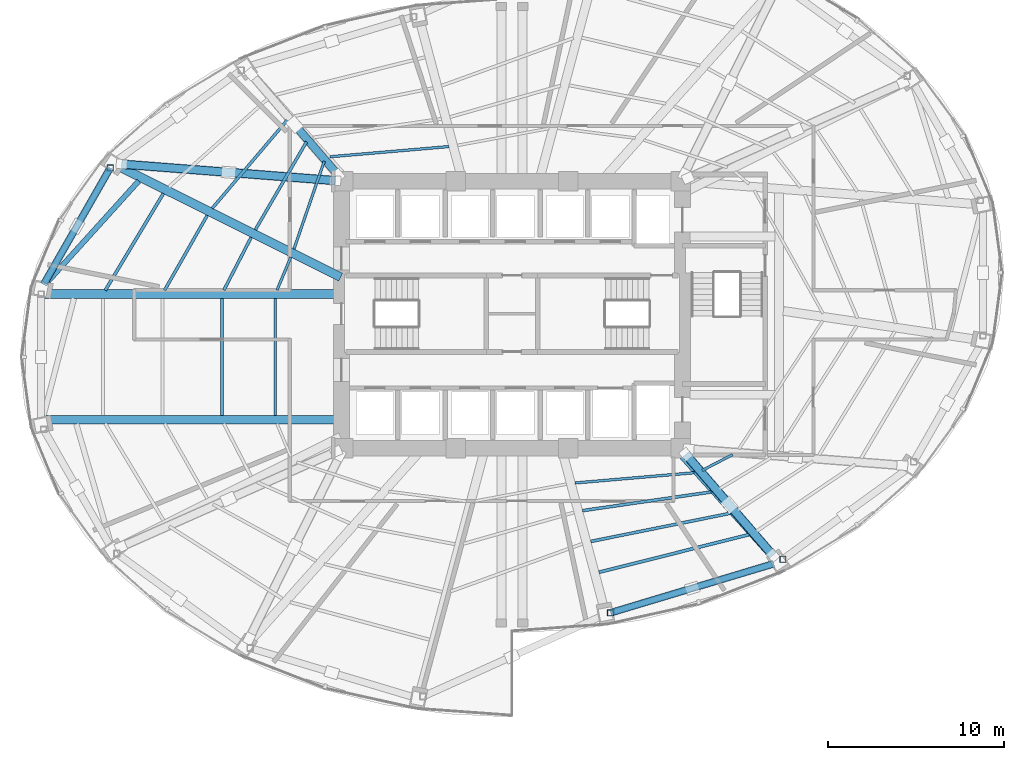
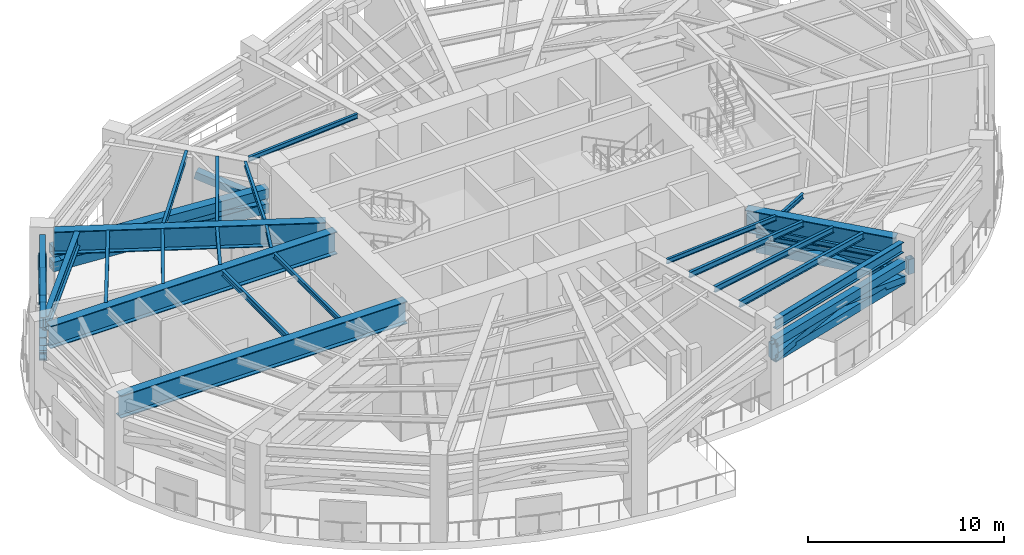
# One storey, part 3 of 14: 22 beams, 20 members.
"""IFC4 building model written with IfcOpenShell, lengths in metres."""

from ifc_helpers import new_model, si_unit, direction, frame, origin, origin_2d, place, context, subcontext, project, spatial, hollow_rectangle, i_section, extrude, material, material_profile, profile_set, type_object, element, save


model = new_model("IFC4")

# Units and contexts
model_context = context("Model", 3, precision=1e-05, world=origin(), true_north=direction((0.0, 1.0)))
body_context = subcontext(model_context, "Body", "Model", "MODEL_VIEW")
ifc_project = project(units=[si_unit("LENGTHUNIT", "METRE"), si_unit("AREAUNIT", "SQUARE_METRE"), si_unit("VOLUMEUNIT", "CUBIC_METRE"), si_unit("PLANEANGLEUNIT", "RADIAN"), si_unit("MASSUNIT", "GRAM", prefix="KILO")], contexts=[model_context])

# Site, building, storey
site_placement = place(None, origin())
site = spatial("IfcSite", under=ifc_project, at=site_placement, CompositionType="ELEMENT")
building_placement = place(site_placement, origin())
building = spatial("IfcBuilding", under=site, at=building_placement, Name="Lazwardi Medical Tower", CompositionType="ELEMENT")
storey_placement = place(building_placement, frame((0.0, 0.0, 76.27197265625)))
storey = spatial("IfcBuildingStorey", under=building, at=storey_placement, Name="L19", CompositionType="ELEMENT", Elevation=76.27197265625)

# Beams
ifc_material_1 = material(Name="Steel S460", Category="steel")
ifc_material_profile_1 = material_profile(ifc_material_1, i_section(OverallWidth=0.300048828125, OverallDepth=0.89990234375, WebThickness=0.0185546875, FlangeThickness=0.034912109375, at=origin_2d()), Name="HEB 900")
ifc_profile_set_1 = profile_set([ifc_material_profile_1], Name="Steel S460")
beam_type_1 = type_object("IfcBeamType", Name="BM-HB-01", PredefinedType="BEAM", material=ifc_profile_set_1)
beam_1_placement = place(storey_placement, frame((14.7578125, 35.613037109375, 4.572021484375), z_axis=(-0.670761058029, -0.741673515121, 0.0), x_axis=(0.741673515121, -0.670761058029, 0.0)))
element("IfcBeam", 1, at=beam_1_placement, inside=storey, type_object=beam_type_1, Name="Transfer girder tie HB-01 M11 L19", PredefinedType="BEAM", context=body_context, shape_type="SweptSolid", body=[
    extrude(i_section(OverallWidth=0.300048828125, OverallDepth=0.89990234375, WebThickness=0.0185546875, FlangeThickness=0.034912109375, at=origin_2d()), origin(), (0.0, 0.0, 1.0), 7.725830078125),
])
ifc_material_2 = material(Name="Steel S355", Category="steel")
ifc_material_profile_2 = material_profile(ifc_material_2, i_section(OverallWidth=0.300048828125, OverallDepth=0.64990234375, WebThickness=0.01611328125, FlangeThickness=0.031005859375, at=origin_2d()), Name="HEB 650")
ifc_profile_set_2 = profile_set([ifc_material_profile_2], Name="Steel S355")
beam_type_2 = type_object("IfcBeamType", Name="BM-RB-Z1", PredefinedType="BEAM", material=ifc_profile_set_2)
beam_2_placement = place(storey_placement, frame((41.73291015625, 11.076904296875, 4.697021484375), z_axis=(0.957695289269, 0.287784177662, 0.0), x_axis=(-0.287784177662, 0.957695289269, 0.0)))
element("IfcBeam", 2, at=beam_2_placement, inside=storey, type_object=beam_type_2, Name="Ring beam RB-02 B01 L19", PredefinedType="BEAM", context=body_context, shape_type="SweptSolid", body=[
    extrude(i_section(OverallWidth=0.300048828125, OverallDepth=0.64990234375, WebThickness=0.01611328125, FlangeThickness=0.031005859375, at=origin_2d()), origin(), (0.0, 0.0, 1.0), 9.445556640625),
])
beam_3_placement = place(storey_placement, frame((13.072021484375, 36.24951171875, 4.697021484375), z_axis=(-0.495829348644, -0.868419977328, 0.0), x_axis=(0.868419977328, -0.495829348644, 0.0)))
element("IfcBeam", 3, at=beam_3_placement, inside=storey, type_object=beam_type_2, Name="Ring beam RB-02 B11 L19", PredefinedType="BEAM", context=body_context, shape_type="SweptSolid", body=[
    extrude(i_section(OverallWidth=0.300048828125, OverallDepth=0.64990234375, WebThickness=0.01611328125, FlangeThickness=0.031005859375, at=origin_2d()), origin(), (0.0, 0.0, 1.0), 7.38916015625),
])
ifc_material_profile_3 = material_profile(ifc_material_2, i_section(OverallWidth=0.179931640625, OverallDepth=0.39990234375, WebThickness=0.008544921875, FlangeThickness=0.013427734375, at=origin_2d()), Name="IPE 400")
ifc_profile_set_3 = profile_set([ifc_material_profile_3], Name="Steel S355")
beam_type_3 = type_object("IfcBeamType", Name="BM-SJ-01", PredefinedType="JOIST", material=ifc_profile_set_3)
beam_4_placement = place(storey_placement, frame((40.948486328125, 13.343017578125, 4.822021484375), z_axis=(0.969808661786, 0.243867093978, 0.0), x_axis=(-0.243867093978, 0.969808661786, 0.0)))
element("IfcBeam", 4, at=beam_4_placement, inside=storey, type_object=beam_type_3, Name="Secondary joist SJ-01 R1 B01 L19", PredefinedType="JOIST", context=body_context, shape_type="SweptSolid", body=[
    extrude(i_section(OverallWidth=0.179931640625, OverallDepth=0.39990234375, WebThickness=0.008544921875, FlangeThickness=0.013427734375, at=origin_2d()), origin(), (0.0, 0.0, 1.0), 8.7998046875),
])
beam_5_placement = place(storey_placement, frame((16.1630859375, 34.90234375, 4.822021484375), z_axis=(-0.514903280124, -0.857248279157, 0.0), x_axis=(0.857248279157, -0.514903280124, 0.0)))
element("IfcBeam", 5, at=beam_5_placement, inside=storey, type_object=beam_type_3, Name="Secondary joist SJ-01 R1 B11 L19", PredefinedType="JOIST", context=body_context, shape_type="SweptSolid", body=[
    extrude(i_section(OverallWidth=0.179931640625, OverallDepth=0.39990234375, WebThickness=0.008544921875, FlangeThickness=0.013427734375, at=origin_2d()), origin(), (0.0, 0.0, 1.0), 6.430419921875),
])
ifc_material_profile_4 = material_profile(ifc_material_2, i_section(OverallWidth=0.169921875, OverallDepth=0.360107421875, WebThickness=0.008056640625, FlangeThickness=0.0126953125, at=origin_2d()), Name="IPE 360")
ifc_profile_set_4 = profile_set([ifc_material_profile_4], Name="Steel S355")
beam_type_4 = type_object("IfcBeamType", Name="BM-SJ-02", PredefinedType="JOIST", material=ifc_profile_set_4)
beam_6_placement = place(storey_placement, frame((40.480712890625, 15.098388671875, 4.842041015625), z_axis=(0.980175636933, 0.198130564937, 0.0), x_axis=(-0.198130564937, 0.980175636933, 0.0)))
element("IfcBeam", 6, at=beam_6_placement, inside=storey, type_object=beam_type_4, Name="Secondary joist SJ-02 R2 B01 L19", PredefinedType="JOIST", context=body_context, shape_type="SweptSolid", body=[
    extrude(i_section(OverallWidth=0.169921875, OverallDepth=0.360107421875, WebThickness=0.008056640625, FlangeThickness=0.0126953125, at=origin_2d()), origin(), (0.0, 0.0, 1.0), 8.0859375),
])
beam_7_placement = place(storey_placement, frame((23.195068359375, 39.064208984375, 4.842041015625), z_axis=(-0.647687234903, -0.76190632347, 0.0), x_axis=(0.76190632347, -0.647687234903, 0.0)))
element("IfcBeam", 7, at=beam_7_placement, inside=storey, type_object=beam_type_4, Name="Secondary joist SJ-02 R2 B10 L19", PredefinedType="JOIST", context=body_context, shape_type="SweptSolid", body=[
    extrude(i_section(OverallWidth=0.169921875, OverallDepth=0.360107421875, WebThickness=0.008056640625, FlangeThickness=0.0126953125, at=origin_2d()), origin(), (0.0, 0.0, 1.0), 6.57275390625),
])
beam_8_placement = place(storey_placement, frame((18.658203125, 33.656982421875, 4.842041015625), z_axis=(-0.495104671166, -0.868833335335, 0.0), x_axis=(0.868833335335, -0.495104671166, 0.0)))
element("IfcBeam", 8, at=beam_8_placement, inside=storey, type_object=beam_type_4, Name="Secondary joist SJ-02 R2 B11 L19", PredefinedType="JOIST", context=body_context, shape_type="SweptSolid", body=[
    extrude(i_section(OverallWidth=0.169921875, OverallDepth=0.360107421875, WebThickness=0.008056640625, FlangeThickness=0.0126953125, at=origin_2d()), origin(), (0.0, 0.0, 1.0), 4.907958984375),
])
beam_9_placement = place(storey_placement, frame((40.012451171875, 16.851806640625, 4.842041015625), z_axis=(0.98962667676, 0.143662941098, 0.0), x_axis=(-0.143662941098, 0.98962667676, 0.0)))
element("IfcBeam", 9, at=beam_9_placement, inside=storey, type_object=beam_type_4, Name="Secondary joist SJ-02 R3 B01 L19", PredefinedType="JOIST", context=body_context, shape_type="SweptSolid", body=[
    extrude(i_section(OverallWidth=0.169921875, OverallDepth=0.360107421875, WebThickness=0.008056640625, FlangeThickness=0.0126953125, at=origin_2d()), origin(), (0.0, 0.0, 1.0), 7.39404296875),
])
beam_10_placement = place(storey_placement, frame((24.304443359375, 37.839111328125, 4.842041015625), z_axis=(-0.503183549372, -0.864179562152, 0.0), x_axis=(0.864179562152, -0.503183549372, 0.0)))
element("IfcBeam", 10, at=beam_10_placement, inside=storey, type_object=beam_type_4, Name="Secondary joist SJ-02 R3 B10 L19", PredefinedType="JOIST", context=body_context, shape_type="SweptSolid", body=[
    extrude(i_section(OverallWidth=0.169921875, OverallDepth=0.360107421875, WebThickness=0.008056640625, FlangeThickness=0.0126953125, at=origin_2d()), origin(), (0.0, 0.0, 1.0), 5.786376953125),
])
beam_11_placement = place(storey_placement, frame((21.156982421875, 32.4091796875, 4.842041015625), z_axis=(-0.459099628804, -0.888384787596, 0.0), x_axis=(0.888384787596, -0.459099628804, 0.0)))
element("IfcBeam", 11, at=beam_11_placement, inside=storey, type_object=beam_type_4, Name="Secondary joist SJ-02 R3 B11 L19", PredefinedType="JOIST", context=body_context, shape_type="SweptSolid", body=[
    extrude(i_section(OverallWidth=0.169921875, OverallDepth=0.360107421875, WebThickness=0.008056640625, FlangeThickness=0.0126953125, at=origin_2d()), origin(), (0.0, 0.0, 1.0), 3.39013671875),
])
beam_12_placement = place(storey_placement, frame((19.488037109375, 28.934814453125, 4.842041015625), z_axis=(0.0, -1.0, 0.0), x_axis=(1.0, 0.0, 0.0)))
element("IfcBeam", 12, at=beam_12_placement, inside=storey, type_object=beam_type_4, Name="Secondary joist SJ-02 R3 B12 L19", PredefinedType="JOIST", context=body_context, shape_type="SweptSolid", body=[
    extrude(i_section(OverallWidth=0.169921875, OverallDepth=0.360107421875, WebThickness=0.008056640625, FlangeThickness=0.0126953125, at=origin_2d()), origin(), (0.0, 0.0, 1.0), 6.669677734375),
])
ifc_material_profile_5 = material_profile(ifc_material_2, i_section(OverallWidth=0.14990234375, OverallDepth=0.300048828125, WebThickness=0.007080078125, FlangeThickness=0.0107421875, at=origin_2d()), Name="IPE 300")
ifc_profile_set_5 = profile_set([ifc_material_profile_5], Name="Steel S355")
beam_type_5 = type_object("IfcBeamType", Name="BM-SJ-03", PredefinedType="JOIST", material=ifc_profile_set_5)
beam_13_placement = place(storey_placement, frame((39.590576171875, 18.427490234375, 4.8720703125), z_axis=(0.996335286815, 0.085533597184, 0.0), x_axis=(-0.085533597184, 0.996335286815, 0.0)))
element("IfcBeam", 13, at=beam_13_placement, inside=storey, type_object=beam_type_5, Name="Secondary joist SJ-03 R4 B01 L19", PredefinedType="JOIST", context=body_context, shape_type="SweptSolid", body=[
    extrude(i_section(OverallWidth=0.14990234375, OverallDepth=0.300048828125, WebThickness=0.007080078125, FlangeThickness=0.0107421875, at=origin_2d()), origin(), (0.0, 0.0, 1.0), 6.796142578125),
])
beam_14_placement = place(storey_placement, frame((46.8232421875, 19.142333984375, 4.8720703125), z_axis=(0.887731834523, 0.460360934457, 0.0), x_axis=(-0.460360934457, 0.887731834523, 0.0)))
element("IfcBeam", 14, at=beam_14_placement, inside=storey, type_object=beam_type_5, Name="Secondary joist SJ-03 R4 B02 L19", PredefinedType="JOIST", context=body_context, shape_type="SweptSolid", body=[
    extrude(i_section(OverallWidth=0.14990234375, OverallDepth=0.300048828125, WebThickness=0.007080078125, FlangeThickness=0.0107421875, at=origin_2d()), origin(), (0.0, 0.0, 1.0), 1.95361328125),
])
beam_15_placement = place(storey_placement, frame((32.409423828125, 37.572509765625, 4.8720703125), z_axis=(-0.996335286815, -0.085533597184, 0.0), x_axis=(0.085533597184, -0.996335286815, 0.0)))
element("IfcBeam", 15, at=beam_15_placement, inside=storey, type_object=beam_type_5, Name="Secondary joist SJ-03 R4 B09 L19", PredefinedType="JOIST", context=body_context, shape_type="SweptSolid", body=[
    extrude(i_section(OverallWidth=0.14990234375, OverallDepth=0.300048828125, WebThickness=0.007080078125, FlangeThickness=0.0107421875, at=origin_2d()), origin(), (0.0, 0.0, 1.0), 6.796142578125),
])
beam_16_placement = place(storey_placement, frame((25.314453125, 36.73876953125, 4.8720703125), z_axis=(-0.325976453774, -0.945377888246, 0.0), x_axis=(0.945377888246, -0.325976453774, 0.0)))
element("IfcBeam", 16, at=beam_16_placement, inside=storey, type_object=beam_type_5, Name="Secondary joist SJ-03 R4 B10 L19", PredefinedType="JOIST", context=body_context, shape_type="SweptSolid", body=[
    extrude(i_section(OverallWidth=0.14990234375, OverallDepth=0.300048828125, WebThickness=0.007080078125, FlangeThickness=0.0107421875, at=origin_2d()), origin(), (0.0, 0.0, 1.0), 5.28759765625),
])
beam_17_placement = place(storey_placement, frame((23.415771484375, 31.28271484375, 4.8720703125), z_axis=(-0.387847956284, -0.921723365661, 0.0), x_axis=(0.921723365661, -0.387847956284, 0.0)))
element("IfcBeam", 17, at=beam_17_placement, inside=storey, type_object=beam_type_5, Name="Secondary joist SJ-03 R4 B11 L19", PredefinedType="JOIST", context=body_context, shape_type="SweptSolid", body=[
    extrude(i_section(OverallWidth=0.14990234375, OverallDepth=0.300048828125, WebThickness=0.007080078125, FlangeThickness=0.0107421875, at=origin_2d()), origin(), (0.0, 0.0, 1.0), 2.036376953125),
])
beam_18_placement = place(storey_placement, frame((22.531005859375, 28.934814453125, 4.8720703125), z_axis=(0.0, -1.0, 0.0), x_axis=(1.0, 0.0, 0.0)))
element("IfcBeam", 18, at=beam_18_placement, inside=storey, type_object=beam_type_5, Name="Secondary joist SJ-03 R4 B12 L19", PredefinedType="JOIST", context=body_context, shape_type="SweptSolid", body=[
    extrude(i_section(OverallWidth=0.14990234375, OverallDepth=0.300048828125, WebThickness=0.007080078125, FlangeThickness=0.0107421875, at=origin_2d()), origin(), (0.0, 0.0, 1.0), 6.669677734375),
])
ifc_material_profile_6 = material_profile(ifc_material_1, i_section(OverallWidth=0.5, OverallDepth=1.39990234375, WebThickness=0.028076171875, FlangeThickness=0.044921875, at=origin_2d()), Name="PG 1400x500")
ifc_profile_set_6 = profile_set([ifc_material_profile_6], Name="Steel S460")
beam_type_6 = type_object("IfcBeamType", Name="BM-TG-01", PredefinedType="BEAM", material=ifc_profile_set_6)
beam_19_placement = place(storey_placement, frame((50.794189453125, 14.348388671875, 4.322021484375), z_axis=(-0.66678954258, 0.745246070709, 0.0), x_axis=(-0.745246070709, -0.66678954258, 0.0)))
element("IfcBeam", 19, at=beam_19_placement, inside=storey, type_object=beam_type_6, Name="Transfer girder TG-01 M02 L19", PredefinedType="BEAM", context=body_context, shape_type="SweptSolid", body=[
    extrude(i_section(OverallWidth=0.5, OverallDepth=1.39990234375, WebThickness=0.028076171875, FlangeThickness=0.044921875, at=origin_2d()), origin(), (0.0, 0.0, 1.0), 8.05322265625),
])
beam_20_placement = place(storey_placement, frame((13.799072265625, 36.355224609375, 4.322021484375), z_axis=(0.894767301086, -0.4465327277, 0.0), x_axis=(0.4465327277, 0.894767301086, 0.0)))
element("IfcBeam", 20, at=beam_20_placement, inside=storey, type_object=beam_type_6, Name="Transfer girder TG-01 M11 L19", PredefinedType="BEAM", context=body_context, shape_type="SweptSolid", body=[
    extrude(i_section(OverallWidth=0.5, OverallDepth=1.39990234375, WebThickness=0.028076171875, FlangeThickness=0.044921875, at=origin_2d()), origin(), (0.0, 0.0, 1.0), 13.915283203125),
])
for number, where, z_axis, x_axis, name in (
    (21, (9.344970703125, 29.179931640625, 4.322021484375), (1.0, 0.0, 0.0), (0.0, 1.0, 0.0), "Transfer girder TG-01 M12 L19"),
    (22, (9.344970703125, 22.02001953125, 4.322021484375), (1.0, 0.0, 0.0), (0.0, 1.0, 0.0), "Transfer girder TG-01 M13 L19"),
):
    element("IfcBeam", number, at=place(storey_placement, frame(where, z_axis=z_axis, x_axis=x_axis)), inside=storey, type_object=beam_type_6, Name=name, PredefinedType="BEAM", context=body_context, shape_type="SweptSolid", body=[
        extrude(i_section(OverallWidth=0.5, OverallDepth=1.39990234375, WebThickness=0.028076171875, FlangeThickness=0.044921875, at=origin_2d()), origin(), (0.0, 0.0, 1.0), 16.905029296875),
    ])

# Members
ifc_material_profile_7 = material_profile(ifc_material_1, hollow_rectangle(XDim=0.39990234375, YDim=0.5, WallThickness=0.02490234375, at=origin_2d()), Name="RHS 500x400x25")
ifc_profile_set_7 = profile_set([ifc_material_profile_7], Name="Steel S460")
member_type_1 = type_object("IfcMemberType", Name="MEM-BC-01", PredefinedType="CHORD", material=ifc_profile_set_7)
for number, where, z_axis, x_axis, name in (
    (23, (41.6083984375, 11.039306640625, 2.679931640625), (0.957691868037, 0.287795562676, 0.0), (-0.287795562676, 0.957691868037, 0.0), "Belt truss bottom chord BC-01 B01 L19"),
    (24, (41.6083984375, 11.039306640625, 3.60009765625), (0.957691868037, 0.287795562676, 0.0), (-0.287795562676, 0.957691868037, 0.0), "Belt truss top chord BC-01 B01 L19"),
):
    element("IfcMember", number, at=place(storey_placement, frame(where, z_axis=z_axis, x_axis=x_axis)), inside=storey, type_object=member_type_1, Name=name, PredefinedType="CHORD", context=body_context, shape_type="SweptSolid", body=[
        extrude(hollow_rectangle(XDim=0.39990234375, YDim=0.5, WallThickness=0.02490234375, at=origin_2d()), origin(), (0.0, 0.0, 1.0), 9.70556640625),
    ])
for number, where, z_axis, x_axis, name in (
    (25, (13.13623046875, 36.3623046875, 2.679931640625), (-0.495802051618, -0.868435562153, 0.0), (0.868435562153, -0.495802051618, 0.0), "Belt truss bottom chord BC-01 B11 L19"),
    (26, (13.13623046875, 36.3623046875, 3.60009765625), (-0.495802051618, -0.868435562153, 0.0), (0.868435562153, -0.495802051618, 0.0), "Belt truss top chord BC-01 B11 L19"),
):
    element("IfcMember", number, at=place(storey_placement, frame(where, z_axis=z_axis, x_axis=x_axis)), inside=storey, type_object=member_type_1, Name=name, PredefinedType="CHORD", context=body_context, shape_type="SweptSolid", body=[
        extrude(hollow_rectangle(XDim=0.39990234375, YDim=0.5, WallThickness=0.02490234375, at=origin_2d()), origin(), (0.0, 0.0, 1.0), 7.649169921875),
    ])
ifc_material_profile_8 = material_profile(ifc_material_1, hollow_rectangle(XDim=0.39990234375, YDim=0.39990234375, WallThickness=0.02001953125, at=origin_2d()), Name="RHS 400x400x20")
ifc_profile_set_8 = profile_set([ifc_material_profile_8], Name="Steel S460")
member_type_2 = type_object("IfcMemberType", Name="MEM-BD-01", PredefinedType="BRACE", material=ifc_profile_set_8)
for number, where, z_axis, x_axis, name in (
    (27, (41.6083984375, 11.039306640625, 2.679931640625), (0.940919431444, 0.282779999332, 0.186295720588), (-0.287818633707, 0.957684934669, 0.0), "Belt truss diagonal BD-01 B01A L19"),
    (28, (50.9033203125, 13.83251953125, 2.679931640625), (-0.940932582148, -0.282734522478, 0.186298324339), (0.287772491145, -0.95769880095, 0.0), "Belt truss diagonal BD-01 B01B L19"),
):
    element("IfcMember", number, at=place(storey_placement, frame(where, z_axis=z_axis, x_axis=x_axis)), inside=storey, type_object=member_type_2, Name=name, PredefinedType="BRACE", context=body_context, shape_type="SweptSolid", body=[
        extrude(hollow_rectangle(XDim=0.39990234375, YDim=0.39990234375, WallThickness=0.02001953125, at=origin_2d()), origin(), (0.0, 0.0, 1.0), 4.939208984375),
    ])
member_1_placement = place(storey_placement, frame((13.13623046875, 36.3623046875, 2.679931640625), z_axis=(-0.482059417112, -0.844333244547, 0.23392325777), x_axis=(0.868427715946, -0.495815794601, 0.0)))
element("IfcMember", 29, at=member_1_placement, inside=storey, type_object=member_type_2, Name="Belt truss diagonal BD-01 B11A L19", PredefinedType="BRACE", context=body_context, shape_type="SweptSolid", body=[
    extrude(hollow_rectangle(XDim=0.39990234375, YDim=0.39990234375, WallThickness=0.02001953125, at=origin_2d()), origin(), (0.0, 0.0, 1.0), 3.93359375),
])
member_2_placement = place(storey_placement, frame((9.34375, 29.719482421875, 2.679931640625), z_axis=(0.482034156519, 0.844351062114, 0.233910999861), x_axis=(-0.868443407706, 0.495788309273, 0.0)))
element("IfcMember", 30, at=member_2_placement, inside=storey, type_object=member_type_2, Name="Belt truss diagonal BD-01 B11B L19", PredefinedType="BRACE", context=body_context, shape_type="SweptSolid", body=[
    extrude(hollow_rectangle(XDim=0.39990234375, YDim=0.39990234375, WallThickness=0.02001953125, at=origin_2d()), origin(), (0.0, 0.0, 1.0), 3.933837890625),
])
ifc_material_profile_9 = material_profile(ifc_material_2, hollow_rectangle(XDim=0.35009765625, YDim=0.35009765625, WallThickness=0.01611328125, at=origin_2d()), Name="RHS 350x350x16")
ifc_profile_set_9 = profile_set([ifc_material_profile_9], Name="Steel S355")
member_type_3 = type_object("IfcMemberType", Name="MEM-BV-01", PredefinedType="POST", material=ifc_profile_set_9)
for number, where, z_axis, x_axis, name in (
    (31, (41.6083984375, 11.039306640625, 2.679931640625), (0.0, 0.0, 1.0), (1.0, 0.0, 0.0), "Belt truss post BV-01 B01 L19"),
    (32, (51.415771484375, 14.08642578125, 2.679931640625), (0.0, 0.0, 1.0), (1.0, 0.0, 0.0), "Belt truss post BV-01 B02 L19"),
    (33, (13.13623046875, 36.3623046875, 2.679931640625), (0.0, 0.0, 1.0), (1.0, 0.0, 0.0), "Belt truss post BV-01 B11 L19"),
):
    element("IfcMember", number, at=place(storey_placement, frame(where, z_axis=z_axis, x_axis=x_axis)), inside=storey, type_object=member_type_3, Name=name, PredefinedType="POST", context=body_context, shape_type="SweptSolid", body=[
        extrude(hollow_rectangle(XDim=0.35009765625, YDim=0.35009765625, WallThickness=0.01611328125, at=origin_2d()), origin(), (0.0, 0.0, 1.0), 0.920166015625),
    ])
ifc_material_profile_10 = material_profile(ifc_material_1, hollow_rectangle(XDim=0.5, YDim=0.60009765625, WallThickness=0.030029296875, at=origin_2d()), Name="RHS 600x500x30")
ifc_profile_set_10 = profile_set([ifc_material_profile_10], Name="Steel S460")
member_type_4 = type_object("IfcMemberType", Name="MEM-OC-01", PredefinedType="CHORD", material=ifc_profile_set_10)
for number, where, z_axis, x_axis, name in (
    (34, (45.8935546875, 20.058837890625, 2.679931640625), (0.652371967873, -0.757898948101, 0.0), (0.757898948101, 0.652371967873, 0.0), "Outrigger truss bottom chord OC-01 OR3 L19"),
    (35, (45.8935546875, 20.058837890625, 3.60009765625), (0.652371967873, -0.757898948101, 0.0), (0.757898948101, 0.652371967873, 0.0), "Outrigger truss top chord OC-01 OR3 L19"),
):
    element("IfcMember", number, at=place(storey_placement, frame(where, z_axis=z_axis, x_axis=x_axis)), inside=storey, type_object=member_type_4, Name=name, PredefinedType="CHORD", context=body_context, shape_type="SweptSolid", body=[
        extrude(hollow_rectangle(XDim=0.5, YDim=0.60009765625, WallThickness=0.030029296875, at=origin_2d()), origin(), (0.0, 0.0, 1.0), 7.599853515625),
    ])
for number, where, z_axis, x_axis, name in (
    (36, (25.951416015625, 35.634765625, 2.679931640625), (-0.997026530333, 0.077059054051, 0.0), (-0.077059054051, -0.997026530333, 0.0), "Outrigger truss bottom chord OC-01 OR8 L19"),
    (37, (25.951416015625, 35.634765625, 3.60009765625), (-0.997026530333, 0.077059054051, 0.0), (-0.077059054051, -0.997026530333, 0.0), "Outrigger truss top chord OC-01 OR8 L19"),
):
    element("IfcMember", number, at=place(storey_placement, frame(where, z_axis=z_axis, x_axis=x_axis)), inside=storey, type_object=member_type_4, Name=name, PredefinedType="CHORD", context=body_context, shape_type="SweptSolid", body=[
        extrude(hollow_rectangle(XDim=0.5, YDim=0.60009765625, WallThickness=0.030029296875, at=origin_2d()), origin(), (0.0, 0.0, 1.0), 12.2041015625),
    ])
ifc_material_profile_11 = material_profile(ifc_material_1, hollow_rectangle(XDim=0.449951171875, YDim=0.449951171875, WallThickness=0.02197265625, at=origin_2d()), Name="RHS 450x450x22")
ifc_profile_set_11 = profile_set([ifc_material_profile_11], Name="Steel S460")
member_type_5 = type_object("IfcMemberType", Name="MEM-OD-01", PredefinedType="BRACE", material=ifc_profile_set_11)
member_3_placement = place(storey_placement, frame((45.8935546875, 20.058837890625, 2.679931640625), z_axis=(0.634062156796, -0.736596139606, 0.235353581738), x_axis=(0.757885276022, 0.652387851197, 0.0)))
element("IfcMember", 38, at=member_3_placement, inside=storey, type_object=member_type_5, Name="Outrigger truss diagonal OD-01 OR3A L19", PredefinedType="BRACE", context=body_context, shape_type="SweptSolid", body=[
    extrude(hollow_rectangle(XDim=0.449951171875, YDim=0.449951171875, WallThickness=0.02197265625, at=origin_2d()), origin(), (0.0, 0.0, 1.0), 3.90966796875),
])
for number, where, z_axis, x_axis, name in (
    (39, (50.8515625, 14.298828125, 2.679931640625), (-0.634032992977, 0.736624701413, 0.235342756601), (-0.757912619182, -0.652356085037, 0.0), "Outrigger truss diagonal OD-01 OR3B L19"),
    (40, (26.1064453125, 35.941162109375, 2.679931640625), (-0.634032992977, 0.736624701413, 0.235342756601), (-0.757912619182, -0.652356085037, 0.0), "Outrigger truss diagonal OD-01 OR7A L19"),
):
    element("IfcMember", number, at=place(storey_placement, frame(where, z_axis=z_axis, x_axis=x_axis)), inside=storey, type_object=member_type_5, Name=name, PredefinedType="BRACE", context=body_context, shape_type="SweptSolid", body=[
        extrude(hollow_rectangle(XDim=0.449951171875, YDim=0.449951171875, WallThickness=0.02197265625, at=origin_2d()), origin(), (0.0, 0.0, 1.0), 3.909912109375),
    ])
member_4_placement = place(storey_placement, frame((25.951416015625, 35.634765625, 2.679931640625), z_axis=(-0.985880725667, 0.076196078557, 0.149108525483), x_axis=(-0.077057517103, -0.997026649121, 0.0)))
element("IfcMember", 41, at=member_4_placement, inside=storey, type_object=member_type_5, Name="Outrigger truss diagonal OD-01 OR8A L19", PredefinedType="BRACE", context=body_context, shape_type="SweptSolid", body=[
    extrude(hollow_rectangle(XDim=0.449951171875, YDim=0.449951171875, WallThickness=0.02197265625, at=origin_2d()), origin(), (0.0, 0.0, 1.0), 6.171142578125),
])
member_5_placement = place(storey_placement, frame((13.78369140625, 36.5751953125, 2.679931640625), z_axis=(0.98587961632, -0.076199050565, 0.149114341423), x_axis=(0.07706059106, 0.997026411539, 0.0)))
element("IfcMember", 42, at=member_5_placement, inside=storey, type_object=member_type_5, Name="Outrigger truss diagonal OD-01 OR8B L19", PredefinedType="BRACE", context=body_context, shape_type="SweptSolid", body=[
    extrude(hollow_rectangle(XDim=0.449951171875, YDim=0.449951171875, WallThickness=0.02197265625, at=origin_2d()), origin(), (0.0, 0.0, 1.0), 6.1708984375),
])

save(model, "model.ifc")
